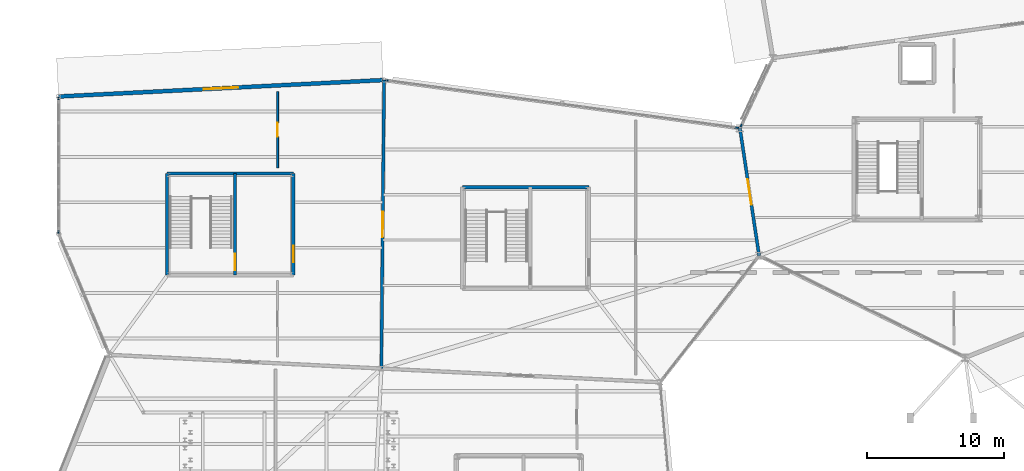
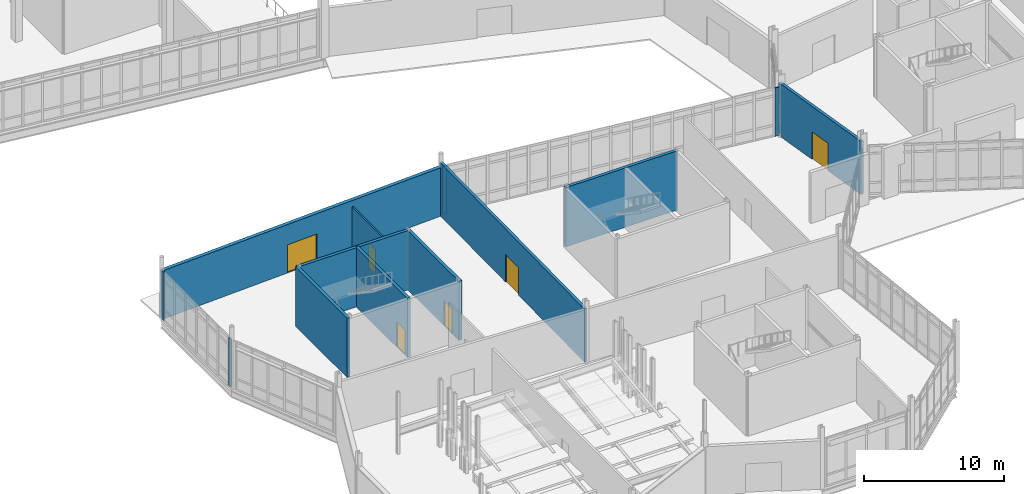
# One storey, part 87 of 113: 14 walls, 6 doors, 6 openings.
"""IFC4 building model written with IfcOpenShell, lengths in metres."""

from ifc_helpers import new_model, si_unit, direction, frame, frame_2d, origin, place, context, subcontext, project, spatial, rectangle, extrude, material, layer, layer_set, type_object, element, fill, save


model = new_model("IFC4")

# Units and contexts
model_context = context("Model", 3, precision=1e-05, world=origin(), true_north=direction((0.0, 1.0)))
body_context = subcontext(model_context, "Body", "Model", "MODEL_VIEW")
ifc_project = project(units=[si_unit("LENGTHUNIT", "METRE"), si_unit("AREAUNIT", "SQUARE_METRE"), si_unit("VOLUMEUNIT", "CUBIC_METRE"), si_unit("PLANEANGLEUNIT", "RADIAN"), si_unit("MASSUNIT", "GRAM", prefix="KILO")], contexts=[model_context])

# Site, building, storey
site_placement = place(None, origin())
site = spatial("IfcSite", under=ifc_project, at=site_placement, CompositionType="ELEMENT")
building_placement = place(site_placement, origin())
building = spatial("IfcBuilding", under=site, at=building_placement, Name="Tameran Prism Museum", CompositionType="ELEMENT")
storey_placement = place(building_placement, origin())
storey = spatial("IfcBuildingStorey", under=building, at=storey_placement, Name="L00", CompositionType="ELEMENT", Elevation=0.0)

# Walls
ifc_material_1 = material(Name="Precast Concrete N40 (40 MPa)", Category="concrete")
ifc_layer_1 = layer(ifc_material_1, 0.094970703125)
ifc_layer_set_1 = layer_set([ifc_layer_1])
wall_type_1 = type_object("IfcWallType", Name="EW-CLOS-095", PredefinedType="SOLIDWALL", material=ifc_layer_set_1)
wall_1_placement = place(storey_placement, frame((49.64404296875, 39.592041015625, 0.0), z_axis=(0.0, 0.0, 1.0), x_axis=(0.42457593243, 0.905392333522, 0.0)))
element("IfcWall", 1, at=wall_1_placement, inside=storey, type_object=wall_type_1, Name="Facade Corner Closure EW-0090", PredefinedType="SOLIDWALL", context=body_context, shape_type="SweptSolid", body=[
    extrude(rectangle(XDim=0.30810546875, YDim=0.094970703125, at=frame_2d((0.154052734375, 0.0))), origin(), (0.0, 0.0, 1.0), 4.219970703125),
])
wall_2_placement = place(storey_placement, frame((0.0, 31.842041015625, 0.0), z_axis=(0.0, 0.0, 1.0), x_axis=(0.0, 1.0, 0.0)))
element("IfcWall", 2, at=wall_2_placement, inside=storey, type_object=wall_type_1, Name="Facade Corner Closure EW-0135", PredefinedType="SOLIDWALL", context=body_context, shape_type="SweptSolid", body=[
    extrude(rectangle(XDim=0.307861328125, YDim=0.094970703125, at=frame_2d((0.15380859375, 0.0))), origin(), (0.0, 0.0, 1.0), 4.219970703125),
])
wall_3_placement = place(storey_placement, frame((0.0, 41.449951171875, 0.0), z_axis=(0.0, 0.0, 1.0), x_axis=(0.0, 1.0, 0.0)))
element("IfcWall", 3, at=wall_3_placement, inside=storey, type_object=wall_type_1, Name="Facade Corner Closure EW-0136", PredefinedType="SOLIDWALL", context=body_context, shape_type="SweptSolid", body=[
    extrude(rectangle(XDim=0.30810546875, YDim=0.094970703125, at=frame_2d((0.154052734375, 0.0))), origin(), (0.0, 0.0, 1.0), 4.219970703125),
])
for number, where, z_axis, x_axis, name in (
    (4, (23.802001953125, 42.986083984375, 0.0), (0.0, 0.0, 1.0), (0.991074779294, -0.133307096014, 0.0), "Facade Corner Closure EW-0141"),
    (5, (49.194091796875, 39.554931640625, 0.0), (0.0, 0.0, 1.0), (0.991074779294, -0.133307096014, 0.0), "Facade Corner Closure EW-0142"),
):
    element("IfcWall", number, at=place(storey_placement, frame(where, z_axis=z_axis, x_axis=x_axis)), inside=storey, type_object=wall_type_1, Name=name, PredefinedType="SOLIDWALL", context=body_context, shape_type="SweptSolid", body=[
        extrude(rectangle(XDim=0.3076171875, YDim=0.094970703125, at=frame_2d((0.15380859375, 0.0))), origin(), (0.0, 0.0, 1.0), 4.219970703125),
    ])

# Wall, opening, door
ifc_material_2 = material(Name="Precast Concrete N40 (40 MPa)", Category="concrete")
ifc_layer_2 = layer(ifc_material_2, 0.2900390625)
ifc_layer_set_2 = layer_set([ifc_layer_2])
wall_type_2 = type_object("IfcWallType", Name="EW-FOY-290", PredefinedType="SOLIDWALL", material=ifc_layer_set_2)
wall_4_placement = place(storey_placement, frame((0.0, 41.800048828125, 0.0), z_axis=(0.0, 0.0, 1.0), x_axis=(0.998720475109, 0.05057086709, 0.0)))
wall_4 = element("IfcWall", 6, at=wall_4_placement, inside=storey, type_object=wall_type_2, Name="Exterior Fluted Precast Wall EW-0134", PredefinedType="SOLIDWALL", context=body_context, shape_type="SweptSolid", body=[
    extrude(rectangle(XDim=23.670166015625, YDim=0.2900390625, at=frame_2d((11.8349609375, 0.0))), origin(), (0.0, 0.0, 1.0), 4.219970703125),
])
opening_1_placement = place(wall_4_placement, frame((10.5849609375, 0.0, 0.0)))
opening_1 = element("IfcOpeningElement", 7, at=opening_1_placement, cuts=wall_4, Name="Opening ED-12", PredefinedType="OPENING", context=body_context, shape_type="SweptSolid", body=[
    extrude(rectangle(XDim=2.5, YDim=2.449951171875, at=frame_2d((1.25, 1.22509765625))), frame((0.0, 0.155029296875, 0.0), z_axis=(0.0, -1.0, 0.0), x_axis=(1.0, 0.0, 0.0)), (0.0, 0.0, 1.0), 0.31005859375),
])
ifc_material_3 = material(Name="Cyclone-Rated Anodised Aluminium 6063-T6 and Laminated Glass", Category="aluminium")
door_type_1 = type_object("IfcDoorType", Name="DR-EXT-220", OperationType="DOUBLE_DOOR_SINGLE_SWING", PredefinedType="DOOR", material=ifc_material_3)
door_1_placement = place(opening_1_placement, origin())
door_1 = element("IfcDoor", 8, at=door_1_placement, inside=storey, type_object=door_type_1, Name="Final Exit Double Door ED-12", OperationType="DOUBLE_DOOR_SINGLE_SWING", OverallHeight=2.449951171875, OverallWidth=2.5, PredefinedType="DOOR", context=body_context, shape_type="SweptSolid", body=[
    extrude(rectangle(XDim=2.5, YDim=2.449951171875, at=frame_2d((1.25, 1.22509765625))), frame((0.0, 0.02490234375, 0.0), z_axis=(0.0, -1.0, 0.0), x_axis=(1.0, 0.0, 0.0)), (0.0, 0.0, 1.0), 0.050048828125),
])
fill(opening_1, door_1)

ifc_material_4 = material(Name="Concrete N40 (40 MPa)", Category="concrete")
ifc_layer_3 = layer(ifc_material_4, 0.22509765625)
ifc_layer_set_3 = layer_set([ifc_layer_3])
wall_type_3 = type_object("IfcWallType", Name="IW-CMP-225", PredefinedType="SOLIDWALL", material=ifc_layer_set_3)
wall_5_placement = place(storey_placement, frame((49.60009765625, 39.5, 0.0), z_axis=(0.0, 0.0, 1.0), x_axis=(0.148849460064, -0.988859867847, 0.0)))
wall_5 = element("IfcWall", 9, at=wall_5_placement, inside=storey, type_object=wall_type_3, Name="Compartment Wall IW-0036", PredefinedType="SOLIDWALL", context=body_context, shape_type="SweptSolid", body=[
    extrude(rectangle(XDim=9.40478515625, YDim=0.22509765625, at=frame_2d((4.702392578125, 0.0))), origin(), (0.0, 0.0, 1.0), 4.6201171875),
])
opening_2_placement = place(wall_5_placement, frame((3.777099609375, 0.0, 0.0)))
opening_2 = element("IfcOpeningElement", 10, at=opening_2_placement, cuts=wall_5, Name="Opening ID-0035", PredefinedType="OPENING", context=body_context, shape_type="SweptSolid", body=[
    extrude(rectangle(XDim=1.85009765625, YDim=2.39990234375, at=frame_2d((0.925048828125, 1.199951171875))), frame((0.0, 0.12255859375, 0.0), z_axis=(0.0, -1.0, 0.0), x_axis=(1.0, 0.0, 0.0)), (0.0, 0.0, 1.0), 0.2451171875),
])
ifc_material_5 = material(Name="Fire-Rated Steel Door Leaf and Frame", Category="steel")
door_type_2 = type_object("IfcDoorType", Name="DR-GAL-185", OperationType="DOUBLE_DOOR_SINGLE_SWING", PredefinedType="DOOR", material=ifc_material_5)
door_2_placement = place(opening_2_placement, origin())
door_2 = element("IfcDoor", 11, at=door_2_placement, inside=storey, type_object=door_type_2, Name="Compartment Door ID-0035", OperationType="DOUBLE_DOOR_SINGLE_SWING", OverallHeight=2.39990234375, OverallWidth=1.85009765625, PredefinedType="DOOR", context=body_context, shape_type="SweptSolid", body=[
    extrude(rectangle(XDim=1.85009765625, YDim=2.39990234375, at=frame_2d((0.925048828125, 1.199951171875))), frame((0.0, 0.02490234375, 0.0), z_axis=(0.0, -1.0, 0.0), x_axis=(1.0, 0.0, 0.0)), (0.0, 0.0, 1.0), 0.050048828125),
])
fill(opening_2, door_2)

wall_6_placement = place(storey_placement, frame((23.5, 22.0, 0.0), z_axis=(0.0, 0.0, 1.0), x_axis=(0.009521052802, 0.99995467375, 0.0)))
wall_6 = element("IfcWall", 12, at=wall_6_placement, inside=storey, type_object=wall_type_3, Name="Compartment Wall IW-0045", PredefinedType="SOLIDWALL", context=body_context, shape_type="SweptSolid", body=[
    extrude(rectangle(XDim=21.0009765625, YDim=0.22509765625, at=frame_2d((10.50048828125, 0.0))), origin(), (0.0, 0.0, 1.0), 4.6201171875),
])
opening_3_placement = place(wall_6_placement, frame((9.574951171875, 0.0, 0.0)))
opening_3 = element("IfcOpeningElement", 13, at=opening_3_placement, cuts=wall_6, Name="Opening ID-0044", PredefinedType="OPENING", context=body_context, shape_type="SweptSolid", body=[
    extrude(rectangle(XDim=1.85009765625, YDim=2.39990234375, at=frame_2d((0.925048828125, 1.199951171875))), frame((0.0, 0.12255859375, 0.0), z_axis=(0.0, -1.0, 0.0), x_axis=(1.0, 0.0, 0.0)), (0.0, 0.0, 1.0), 0.2451171875),
])
door_3_placement = place(opening_3_placement, origin())
door_3 = element("IfcDoor", 14, at=door_3_placement, inside=storey, type_object=door_type_2, Name="Compartment Door ID-0044", OperationType="DOUBLE_DOOR_SINGLE_SWING", OverallHeight=2.39990234375, OverallWidth=1.85009765625, PredefinedType="DOOR", context=body_context, shape_type="SweptSolid", body=[
    extrude(rectangle(XDim=1.85009765625, YDim=2.39990234375, at=frame_2d((0.925048828125, 1.199951171875))), frame((0.0, 0.02490234375, 0.0), z_axis=(0.0, -1.0, 0.0), x_axis=(1.0, 0.0, 0.0)), (0.0, 0.0, 1.0), 0.050048828125),
])
fill(opening_3, door_3)

# Walls
ifc_material_6 = material(Name="Concrete N40 (40 MPa)", Category="concrete")
ifc_layer_4 = layer(ifc_material_6, 0.25)
ifc_layer_set_4 = layer_set([ifc_layer_4])
wall_type_4 = type_object("IfcWallType", Name="IW-COR-250", PredefinedType="SHEAR", material=ifc_layer_set_4)
wall_7_placement = place(storey_placement, frame((7.89990234375, 28.800048828125, 0.0), z_axis=(0.0, 0.0, 1.0), x_axis=(0.0, 1.0, 0.0)))
element("IfcWall", 15, at=wall_7_placement, inside=storey, type_object=wall_type_4, Name="Core Shear Wall CW-10-L00-W", PredefinedType="SHEAR", context=body_context, shape_type="SweptSolid", body=[
    extrude(rectangle(XDim=7.39990234375, YDim=0.25, at=frame_2d((3.699951171875, 0.0))), origin(), (0.0, 0.0, 1.0), 5.159912109375),
])
wall_8_placement = place(storey_placement, frame((7.89990234375, 36.199951171875, 0.0), z_axis=(0.0, 0.0, 1.0), x_axis=(1.0, 0.0, 0.0)))
element("IfcWall", 16, at=wall_8_placement, inside=storey, type_object=wall_type_4, Name="Core Shear Wall CW-10-L00-N", PredefinedType="SHEAR", context=body_context, shape_type="SweptSolid", body=[
    extrude(rectangle(XDim=9.2001953125, YDim=0.25, at=frame_2d((4.60009765625, 0.0))), origin(), (0.0, 0.0, 1.0), 5.159912109375),
])

# Wall, opening, door
wall_9_placement = place(storey_placement, frame((17.10009765625, 36.199951171875, 0.0), z_axis=(0.0, 0.0, 1.0), x_axis=(0.0, -1.0, 0.0)))
wall_9 = element("IfcWall", 17, at=wall_9_placement, inside=storey, type_object=wall_type_4, Name="Core Shear Wall CW-10-L00-E", PredefinedType="SHEAR", context=body_context, shape_type="SweptSolid", body=[
    extrude(rectangle(XDim=7.39990234375, YDim=0.25, at=frame_2d((3.699951171875, 0.0))), origin(), (0.0, 0.0, 1.0), 5.159912109375),
])
opening_4_placement = place(wall_9_placement, frame((5.25, 0.0, 0.0)))
opening_4 = element("IfcOpeningElement", 18, at=opening_4_placement, cuts=wall_9, Name="Opening FD-0267", PredefinedType="OPENING", context=body_context, shape_type="SweptSolid", body=[
    extrude(rectangle(XDim=1.199951171875, YDim=2.199951171875, at=frame_2d((0.60009765625, 1.10009765625))), frame((0.0, 0.135009765625, 0.0), z_axis=(0.0, -1.0, 0.0), x_axis=(1.0, 0.0, 0.0)), (0.0, 0.0, 1.0), 0.27001953125),
])
ifc_material_7 = material(Name="Fire-Rated Steel Door Leaf and Frame", Category="steel")
door_type_3 = type_object("IfcDoorType", Name="DR-FD-120A", OperationType="NOTDEFINED", PredefinedType="DOOR", material=ifc_material_7)
door_4_placement = place(opening_4_placement, origin())
door_4 = element("IfcDoor", 19, at=door_4_placement, inside=storey, type_object=door_type_3, Name="Core Fire Door FD-0267", OperationType="SINGLE_SWING_LEFT", OverallHeight=2.199951171875, OverallWidth=1.199951171875, PredefinedType="DOOR", context=body_context, shape_type="SweptSolid", body=[
    extrude(rectangle(XDim=1.199951171875, YDim=2.199951171875, at=frame_2d((0.60009765625, 1.10009765625))), frame((0.0, 0.02490234375, 0.0), z_axis=(0.0, -1.0, 0.0), x_axis=(1.0, 0.0, 0.0)), (0.0, 0.0, 1.0), 0.050048828125),
])
fill(opening_4, door_4)

wall_10_placement = place(storey_placement, frame((12.85009765625, 36.199951171875, 0.0), z_axis=(0.0, 0.0, 1.0), x_axis=(0.0, -1.0, 0.0)))
wall_10 = element("IfcWall", 20, at=wall_10_placement, inside=storey, type_object=wall_type_4, Name="Core Shear Wall CW-10-L00-M", PredefinedType="SHEAR", context=body_context, shape_type="SweptSolid", body=[
    extrude(rectangle(XDim=7.39990234375, YDim=0.25, at=frame_2d((3.699951171875, 0.0))), origin(), (0.0, 0.0, 1.0), 5.159912109375),
])
opening_5_placement = place(wall_10_placement, frame((5.85009765625, 0.0, 0.0)))
opening_5 = element("IfcOpeningElement", 21, at=opening_5_placement, cuts=wall_10, Name="Opening FD-0268", PredefinedType="OPENING", context=body_context, shape_type="SweptSolid", body=[
    extrude(rectangle(XDim=1.199951171875, YDim=2.199951171875, at=frame_2d((0.60009765625, 1.10009765625))), frame((0.0, 0.135009765625, 0.0), z_axis=(0.0, -1.0, 0.0), x_axis=(1.0, 0.0, 0.0)), (0.0, 0.0, 1.0), 0.27001953125),
])
door_5_placement = place(opening_5_placement, origin())
door_5 = element("IfcDoor", 22, at=door_5_placement, inside=storey, type_object=door_type_3, Name="Core Fire Door FD-0268", OperationType="SINGLE_SWING_RIGHT", OverallHeight=2.199951171875, OverallWidth=1.199951171875, PredefinedType="DOOR", context=body_context, shape_type="SweptSolid", body=[
    extrude(rectangle(XDim=1.199951171875, YDim=2.199951171875, at=frame_2d((0.60009765625, 1.10009765625))), frame((0.0, 0.02490234375, 0.0), z_axis=(0.0, -1.0, 0.0), x_axis=(1.0, 0.0, 0.0)), (0.0, 0.0, 1.0), 0.050048828125),
])
fill(opening_5, door_5)

# Wall
wall_11_placement = place(storey_placement, frame((29.39990234375, 35.199951171875, 0.0), z_axis=(0.0, 0.0, 1.0), x_axis=(1.0, 0.0, 0.0)))
element("IfcWall", 23, at=wall_11_placement, inside=storey, type_object=wall_type_4, Name="Core Shear Wall CW-12-L00-N", PredefinedType="SHEAR", context=body_context, shape_type="SweptSolid", body=[
    extrude(rectangle(XDim=9.2001953125, YDim=0.25, at=frame_2d((4.60009765625, 0.0))), origin(), (0.0, 0.0, 1.0), 5.159912109375),
])

# Wall, opening, door
ifc_material_8 = material(Name="Wet-Area Fibre-Cement Stud Partition")
ifc_layer_5 = layer(ifc_material_8, 0.1298828125)
ifc_layer_set_5 = layer_set([ifc_layer_5])
wall_type_5 = type_object("IfcWallType", Name="IW-PRT-130", PredefinedType="PARTITIONING", material=ifc_layer_set_5)
wall_12_placement = place(storey_placement, frame((15.950927734375, 36.60009765625, 0.0), z_axis=(0.0, 0.0, 1.0), x_axis=(0.0, 1.0, 0.0)))
wall_12 = element("IfcWall", 24, at=wall_12_placement, inside=storey, type_object=wall_type_5, Name="Internal Partition PT-0069", PredefinedType="PARTITIONING", context=body_context, shape_type="SweptSolid", body=[
    extrude(rectangle(XDim=5.556884765625, YDim=0.1298828125, at=frame_2d((2.7783203125, 0.0))), origin(), (0.0, 0.0, 1.0), 3.919921875),
])
opening_6_placement = place(wall_12_placement, frame((2.278076171875, 0.0, 0.0)))
opening_6 = element("IfcOpeningElement", 25, at=opening_6_placement, cuts=wall_12, Name="Opening ID-0068", PredefinedType="OPENING", context=body_context, shape_type="SweptSolid", body=[
    extrude(rectangle(XDim=1.0, YDim=2.14990234375, at=frame_2d((0.5, 1.074951171875))), frame((0.0, 0.074951171875, 0.0), z_axis=(0.0, -1.0, 0.0), x_axis=(1.0, 0.0, 0.0)), (0.0, 0.0, 1.0), 0.14990234375),
])
ifc_material_9 = material(Name="Acoustic Solid-Core Timber Door", Category="wood")
door_type_4 = type_object("IfcDoorType", Name="DR-INT-100", OperationType="NOTDEFINED", PredefinedType="DOOR", material=ifc_material_9)
door_6_placement = place(opening_6_placement, origin())
door_6 = element("IfcDoor", 26, at=door_6_placement, inside=storey, type_object=door_type_4, Name="Interior Room Door ID-0068", OperationType="SINGLE_SWING_LEFT", OverallHeight=2.14990234375, OverallWidth=1.0, PredefinedType="DOOR", context=body_context, shape_type="SweptSolid", body=[
    extrude(rectangle(XDim=1.0, YDim=2.14990234375, at=frame_2d((0.5, 1.074951171875))), frame((0.0, 0.02490234375, 0.0), z_axis=(0.0, -1.0, 0.0), x_axis=(1.0, 0.0, 0.0)), (0.0, 0.0, 1.0), 0.050048828125),
])
fill(opening_6, door_6)

save(model, "model.ifc")
